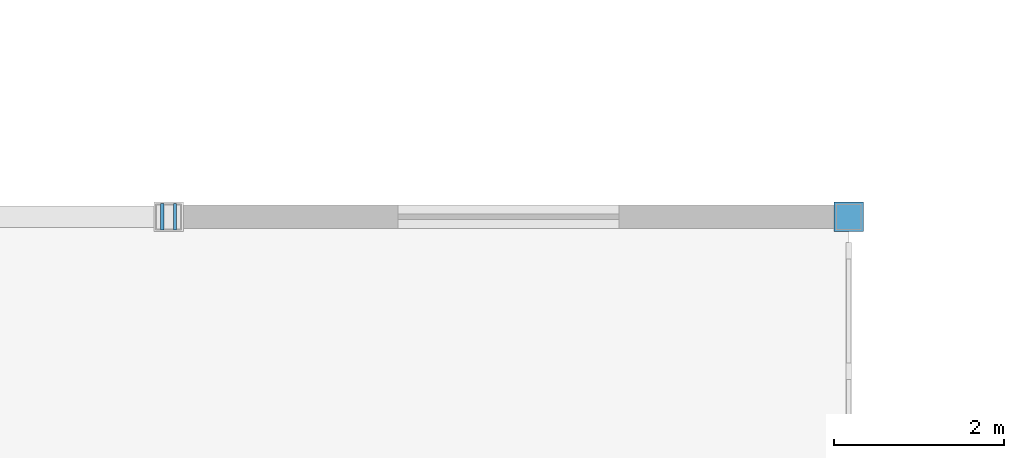
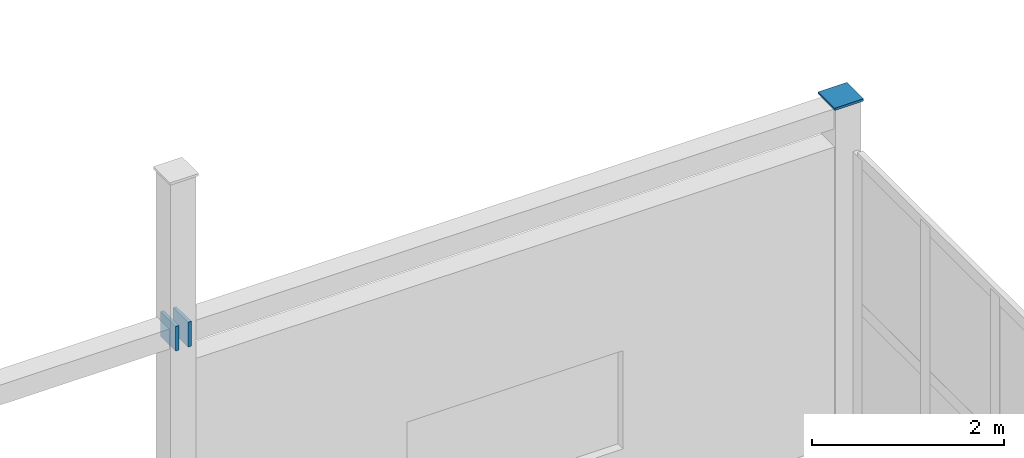
# One storey, part 71 of 83: 3 discrete accessories.
"""IFC4 building model written with IfcOpenShell, lengths in metres."""

import ifcopenshell
import ifcopenshell.guid

model = None  # the IFC model being written
_history = None  # IfcOwnerHistory: only IFC2X3 demands one
_inside = {}  # id of a spatial element -> (the spatial element, [elements in it])
_under = {}  # id of a project, library or spatial element -> (it, [spatial elements below it])
_declared = {}  # id of a project -> (the project, [libraries it declares])
_typed = {}  # id of a type object -> (the type object, [elements of that type])
_made_of = {}  # id of a material, layer set ... -> (it, [elements and type objects made of it])


def new_model(schema):
    """Start an empty IFC model of exactly this schema.

    Asked for "IFC4X3", IfcOpenShell would pick the latest addendum, in which some entities
    have other attributes; the version numbers below select the first issue.
    IFC2X3 requires an IfcOwnerHistory on every rooted entity: one is made here for all.
    """
    global model, _history
    if schema == "IFC4X3":
        model = ifcopenshell.file(schema_version=(4, 3, 0, 0))
    else:
        model = ifcopenshell.file(schema=schema)
    _inside.clear()
    _under.clear()
    _declared.clear()
    _typed.clear()
    _made_of.clear()
    _history = None
    if model.schema == "IFC2X3":
        org = make("IfcOrganization", Name="unknown")
        user = make(
            "IfcPersonAndOrganization",
            ThePerson=make("IfcPerson", FamilyName="unknown"),
            TheOrganization=org,
        )
        app = make(
            "IfcApplication",
            ApplicationDeveloper=org,
            Version="unknown",
            ApplicationFullName="unknown",
            ApplicationIdentifier="unknown",
        )
        _history = make(
            "IfcOwnerHistory",
            OwningUser=user,
            OwningApplication=app,
            ChangeAction="ADDED",
            CreationDate=0,
        )
    return model


def make(cls, **values):
    """One entity of the class cls with the attributes given. An attribute that is None is left unset."""
    return model.create_entity(
        cls, **{name: value for name, value in values.items() if value is not None}
    )


def rooted(cls, **values):
    """An entity with a GlobalId (a new one), such as an element, a storey or a relation."""
    return make(cls, GlobalId=ifcopenshell.guid.new(), OwnerHistory=_history, **values)


def si_unit(unit_type, name, prefix=None):
    """IfcSIUnit, for example si_unit("LENGTHUNIT", "METRE", prefix="MILLI")."""
    return make("IfcSIUnit", UnitType=unit_type, Prefix=prefix, Name=name)


def assignment(units):
    """IfcUnitAssignment: the units of a project."""
    return None if units is None else make("IfcUnitAssignment", Units=units)


def point(xyz):
    """IfcCartesianPoint."""
    return None if xyz is None else make("IfcCartesianPoint", Coordinates=xyz)


def direction(xyz):
    """IfcDirection."""
    return None if xyz is None else make("IfcDirection", DirectionRatios=xyz)


def frame(location, z_axis=None, x_axis=None):
    """IfcAxis2Placement3D, a coordinate frame: its origin and axes. An axis left out is left unset."""
    return make(
        "IfcAxis2Placement3D",
        Location=point(location),
        Axis=direction(z_axis),
        RefDirection=direction(x_axis),
    )


def frame_2d(location, x_axis=None):
    """IfcAxis2Placement2D, a coordinate frame in the plane: its origin and x axis."""
    return make(
        "IfcAxis2Placement2D", Location=point(location), RefDirection=direction(x_axis)
    )


def origin():
    """The frame at (0, 0, 0) with its axes left unset."""
    return frame((0.0, 0.0, 0.0))


def origin_2d():
    """The frame at (0, 0) in the plane with its x axis left unset."""
    return frame_2d((0.0, 0.0))


def place(relative_to, where):
    """IfcLocalPlacement: puts the frame where relative to a parent placement (None: the world)."""
    return make(
        "IfcLocalPlacement", PlacementRelTo=relative_to, RelativePlacement=where
    )


def context(
    kind, dimensions, precision=None, world=None, true_north=None, identifier=None
):
    """IfcGeometricRepresentationContext, for example the 3D "Model" context."""
    return make(
        "IfcGeometricRepresentationContext",
        ContextIdentifier=identifier,
        ContextType=kind,
        CoordinateSpaceDimension=dimensions,
        Precision=precision,
        WorldCoordinateSystem=world,
        TrueNorth=true_north,
    )


def subcontext(parent, identifier, kind, view, scale=None):
    """IfcGeometricRepresentationSubContext, for example "Body" below "Model"."""
    return make(
        "IfcGeometricRepresentationSubContext",
        ContextIdentifier=identifier,
        ContextType=kind,
        ParentContext=parent,
        TargetScale=scale,
        TargetView=view,
    )


def project(units=None, contexts=None):
    """IfcProject with its units and contexts."""
    return rooted(
        "IfcProject",
        Name="project",
        RepresentationContexts=contexts,
        UnitsInContext=assignment(units),
    )


def spatial(cls, under=None, at=None, **own):
    """A site, building, storey or space (cls), placed at a placement, below another one or the project."""
    s = rooted(cls, ObjectPlacement=at, **own)
    if under is not None:
        _under.setdefault(under.id(), (under, []))[1].append(s)
    return s


def profile(cls, at=None, kind="AREA", **sizes):
    """A parametric profile (cls). Its sizes go by their IFC names, for example OverallWidth=200.0."""
    return make(cls, ProfileType=kind, Position=at, **sizes)


def rectangle(**sizes):
    """IfcRectangleProfileDef."""
    return profile("IfcRectangleProfileDef", **sizes)


def extrude(swept, where, along, depth):
    """IfcExtrudedAreaSolid: the profile swept, set in the frame where, extruded along a direction by depth."""
    return make(
        "IfcExtrudedAreaSolid",
        SweptArea=swept,
        Position=where,
        ExtrudedDirection=direction(along),
        Depth=depth,
    )


def shape(context_of_items, identifier, shape_type, items):
    """IfcShapeRepresentation: the items that make up one representation, for example the "Body"."""
    return make(
        "IfcShapeRepresentation",
        ContextOfItems=context_of_items,
        RepresentationIdentifier=identifier,
        RepresentationType=shape_type,
        Items=items,
    )


def material(Name=None, Category=None):
    """IfcMaterial."""
    return make("IfcMaterial", Name=Name, Category=Category)


def made_of(thing, what):
    """Note that an element or type object is made of a material, layer set ...; save() writes the relation."""
    if what is not None:
        _made_of.setdefault(what.id(), (what, []))[1].append(thing)
    return thing


def type_object(cls, material=None, **own):
    """A type object (cls), such as IfcWallType, which elements share."""
    return made_of(rooted(cls, **own), material)


def element(
    cls,
    number,
    at=None,
    inside=None,
    cuts=None,
    type_object=None,
    material=None,
    context=None,
    identifier="Body",
    shape_type=None,
    held_by="IfcProductDefinitionShape",
    body=None,
    shapes=None,
    **own,
):
    """One element of the class cls, such as IfcWall. Its Tag is "e" and its number.

    at: its placement. inside: the storey or other place that contains it. cuts: it is an
    opening in that element (IfcRelVoidsElement). A single representation is given by context,
    identifier, shape_type and body (its items); several are given by shapes. held_by: the class
    of the entity that holds the representations. save() writes the other relations.
    """
    e = rooted(cls, Tag="e%d" % number, ObjectPlacement=at, **own)
    if body is not None:
        shapes = [shape(context, identifier, shape_type, body)]
    if shapes is not None:
        e.Representation = make(held_by, Representations=shapes)
    if inside is not None:
        _inside.setdefault(inside.id(), (inside, []))[1].append(e)
    if cuts is not None:
        rooted(
            "IfcRelVoidsElement", RelatingBuildingElement=cuts, RelatedOpeningElement=e
        )
    if type_object is not None:
        _typed.setdefault(type_object.id(), (type_object, []))[1].append(e)
    return made_of(e, material)


def aggregate(whole, parts):
    """IfcRelAggregates: a whole, such as a stair, and the parts it consists of."""
    return rooted("IfcRelAggregates", RelatingObject=whole, RelatedObjects=parts)


def save(model, path):
    """Write the relations noted so far, then the file.

    IfcRelAggregates (storeys below a building ...), IfcRelContainedInSpatialStructure (elements
    in a storey), IfcRelDefinesByType, IfcRelAssociatesMaterial and IfcRelDeclares: one each for
    every whole, place, type object, material and project.
    """
    for whole, parts in _under.values():
        aggregate(whole, parts)
    for where, things in _inside.values():
        rooted(
            "IfcRelContainedInSpatialStructure",
            RelatedElements=things,
            RelatingStructure=where,
        )
    for kind, things in _typed.values():
        rooted("IfcRelDefinesByType", RelatedObjects=things, RelatingType=kind)
    for what, things in _made_of.values():
        rooted("IfcRelAssociatesMaterial", RelatedObjects=things, RelatingMaterial=what)
    for by, libraries in _declared.values():
        rooted("IfcRelDeclares", RelatingContext=by, RelatedDefinitions=libraries)
    model.write(path)


model = new_model("IFC4")

# Units and contexts
model_context = context("Model", 3, precision=1e-05, world=origin(), true_north=direction((0.0, 1.0)))
body_context = subcontext(model_context, "Body", "Model", "MODEL_VIEW")
ifc_project = project(units=[si_unit("LENGTHUNIT", "METRE"), si_unit("AREAUNIT", "SQUARE_METRE"), si_unit("VOLUMEUNIT", "CUBIC_METRE"), si_unit("PLANEANGLEUNIT", "RADIAN"), si_unit("MASSUNIT", "GRAM", prefix="KILO")], contexts=[model_context])

# Site, building, storey
site_placement = place(None, origin())
site = spatial("IfcSite", under=ifc_project, at=site_placement, CompositionType="ELEMENT")
building_placement = place(site_placement, origin())
building = spatial("IfcBuilding", under=site, at=building_placement, Name="Drelvath Fold Interchange", CompositionType="ELEMENT")
storey_placement = place(building_placement, frame((0.0, 0.0, 11.199951171875)))
storey = spatial("IfcBuildingStorey", under=building, at=storey_placement, Name="L02", CompositionType="ELEMENT", Elevation=11.199951171875)

# Discrete accessories
ifc_material = material(Name="Steel ASTM A572 Grade 50", Category="steel")
discrete_accessory_type = type_object("IfcDiscreteAccessoryType", Name="AC-CAP380", PredefinedType="BRACKET", material=ifc_material)
discrete_accessory_placement = place(storey_placement, frame((84.0, 99.0, 4.2900390625), z_axis=(0.0, 0.0, 1.0), x_axis=(1.0, 0.0, 0.0)))
element("IfcDiscreteAccessory", 1, at=discrete_accessory_placement, inside=storey, type_object=discrete_accessory_type, Name="Welded hollow column end cap 91", PredefinedType="BRACKET", context=body_context, shape_type="SweptSolid", body=[
    extrude(rectangle(XDim=0.344970703125, YDim=0.344970703125, at=origin_2d()), origin(), (0.0, 0.0, 1.0), 0.030029296875),
])
for number, where, z_axis, x_axis, name in (
    (2, (75.925048828125, 99.0, 3.9931640625), (0.0, 0.0, 1.0), (1.0, 0.0, 0.0), "Welded hollow member end cap 481"),
    (3, (76.074951171875, 99.0, 3.9931640625), (0.0, 0.0, 1.0), (1.0, 0.0, 0.0), "Welded hollow member end cap 502"),
):
    element("IfcDiscreteAccessory", number, at=place(storey_placement, frame(where, z_axis=z_axis, x_axis=x_axis)), inside=storey, type_object=discrete_accessory_type, Name=name, PredefinedType="BRACKET", context=body_context, shape_type="SweptSolid", body=[
        extrude(rectangle(XDim=0.0400390625, YDim=0.31396484375, at=origin_2d()), origin(), (0.0, 0.0, 1.0), 0.31396484375),
    ])

save(model, "model.ifc")
